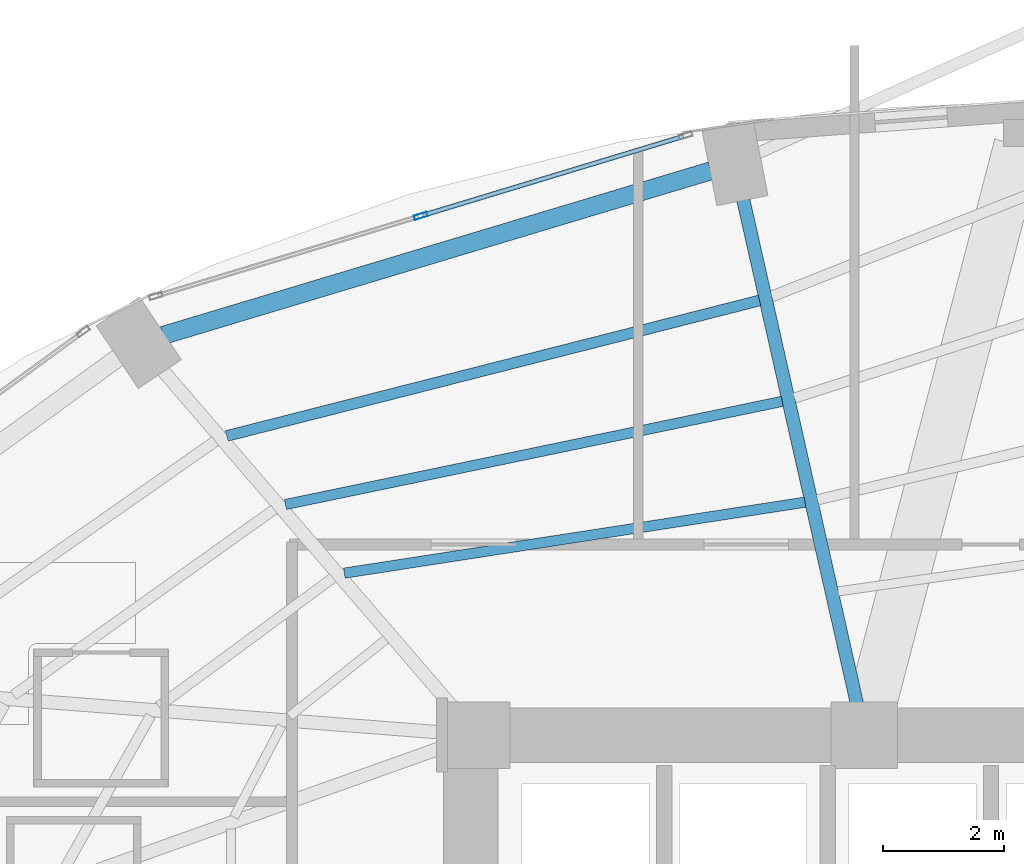
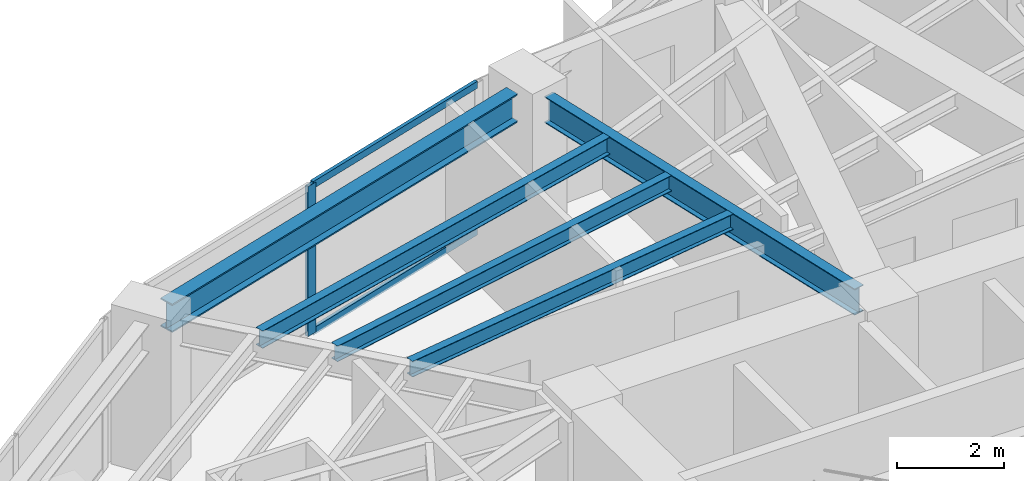
# One storey, part 15 of 25: 5 beams, 3 members, 1 element without a shape of its own.
"""IFC4 building model written with IfcOpenShell, lengths in metres."""

from ifc_helpers import new_model, si_unit, direction, frame, origin, origin_2d, place, context, subcontext, project, spatial, hollow_rectangle, i_section, extrude, material, layer, layer_set, material_profile, profile_set, type_object, element, aggregate, save


model = new_model("IFC4")

# Units and contexts
model_context = context("Model", 3, precision=1e-05, world=origin(), true_north=direction((0.0, 1.0)))
body_context = subcontext(model_context, "Body", "Model", "MODEL_VIEW")
ifc_project = project(units=[si_unit("LENGTHUNIT", "METRE"), si_unit("AREAUNIT", "SQUARE_METRE"), si_unit("VOLUMEUNIT", "CUBIC_METRE"), si_unit("PLANEANGLEUNIT", "RADIAN"), si_unit("MASSUNIT", "GRAM", prefix="KILO")], contexts=[model_context])

# Site, building, storey
site_placement = place(None, origin())
site = spatial("IfcSite", under=ifc_project, at=site_placement, CompositionType="ELEMENT")
building_placement = place(site_placement, origin())
building = spatial("IfcBuilding", under=site, at=building_placement, Name="Lazwardi Medical Tower", CompositionType="ELEMENT")
storey_placement = place(building_placement, frame((0.0, 0.0, 50.736083984375)))
storey = spatial("IfcBuildingStorey", under=building, at=storey_placement, Name="L12", CompositionType="ELEMENT", Elevation=50.736083984375)

# Beams
ifc_material_1 = material(Name="Steel S355", Category="steel")
ifc_material_profile_1 = material_profile(ifc_material_1, i_section(OverallWidth=0.300048828125, OverallDepth=0.64990234375, WebThickness=0.01611328125, FlangeThickness=0.031005859375, at=origin_2d()), Name="HEB 650")
ifc_profile_set_1 = profile_set([ifc_material_profile_1], Name="Steel S355")
beam_type_1 = type_object("IfcBeamType", Name="BM-RB-Z1", PredefinedType="BEAM", material=ifc_profile_set_1)
beam_1_placement = place(storey_placement, frame((30.26708984375, 44.923095703125, 3.10302734375), z_axis=(-0.957695289269, -0.287784177662, 0.0), x_axis=(0.287784177662, -0.957695289269, 0.0)))
element("IfcBeam", 1, at=beam_1_placement, inside=storey, type_object=beam_type_1, Name="Ring beam RB-02 B09 L12", PredefinedType="BEAM", context=body_context, shape_type="SweptSolid", body=[
    extrude(i_section(OverallWidth=0.300048828125, OverallDepth=0.64990234375, WebThickness=0.01611328125, FlangeThickness=0.031005859375, at=origin_2d()), origin(), (0.0, 0.0, 1.0), 9.445556640625),
])
ifc_material_profile_2 = material_profile(ifc_material_1, i_section(OverallWidth=0.219970703125, OverallDepth=0.60009765625, WebThickness=0.011962890625, FlangeThickness=0.01904296875, at=origin_2d()), Name="IPE 600")
ifc_profile_set_2 = profile_set([ifc_material_profile_2], Name="Steel S355")
beam_type_2 = type_object("IfcBeamType", Name="BM-RG-W1", PredefinedType="BEAM", material=ifc_profile_set_2)
beam_2_placement = place(storey_placement, frame((30.796875, 44.478271484375, 3.1279296875), z_axis=(0.22010079219, -0.975477135189, 0.0), x_axis=(0.975477135189, 0.22010079219, 0.0)))
element("IfcBeam", 2, at=beam_2_placement, inside=storey, type_object=beam_type_2, Name="Radial girder RG-02 R09 L12", PredefinedType="BEAM", context=body_context, shape_type="SweptSolid", body=[
    extrude(i_section(OverallWidth=0.219970703125, OverallDepth=0.60009765625, WebThickness=0.011962890625, FlangeThickness=0.01904296875, at=origin_2d()), origin(), (0.0, 0.0, 1.0), 8.56640625),
])
ifc_material_profile_3 = material_profile(ifc_material_1, i_section(OverallWidth=0.179931640625, OverallDepth=0.39990234375, WebThickness=0.008544921875, FlangeThickness=0.013427734375, at=origin_2d()), Name="IPE 400")
ifc_profile_set_3 = profile_set([ifc_material_profile_3], Name="Steel S355")
beam_type_3 = type_object("IfcBeamType", Name="BM-SJ-01", PredefinedType="JOIST", material=ifc_profile_set_3)
beam_3_placement = place(storey_placement, frame((31.072265625, 42.781005859375, 3.22802734375), z_axis=(-0.969151012048, -0.246467677081, 0.0), x_axis=(0.246467677081, -0.969151012048, 0.0)))
element("IfcBeam", 3, at=beam_3_placement, inside=storey, type_object=beam_type_3, Name="Secondary joist SJ-01 R1 B09 L12", PredefinedType="JOIST", context=body_context, shape_type="SweptSolid", body=[
    extrude(i_section(OverallWidth=0.179931640625, OverallDepth=0.39990234375, WebThickness=0.008544921875, FlangeThickness=0.013427734375, at=origin_2d()), origin(), (0.0, 0.0, 1.0), 9.08251953125),
])
ifc_material_profile_4 = material_profile(ifc_material_1, i_section(OverallWidth=0.169921875, OverallDepth=0.360107421875, WebThickness=0.008056640625, FlangeThickness=0.0126953125, at=origin_2d()), Name="IPE 360")
ifc_profile_set_4 = profile_set([ifc_material_profile_4], Name="Steel S355")
beam_type_4 = type_object("IfcBeamType", Name="BM-SJ-02", PredefinedType="JOIST", material=ifc_profile_set_4)
beam_4_placement = place(storey_placement, frame((31.4482421875, 41.114501953125, 3.247802734375), z_axis=(-0.979107693723, -0.203342381445, 0.0), x_axis=(0.203342381445, -0.979107693723, 0.0)))
element("IfcBeam", 4, at=beam_4_placement, inside=storey, type_object=beam_type_4, Name="Secondary joist SJ-02 R2 B09 L12", PredefinedType="JOIST", context=body_context, shape_type="SweptSolid", body=[
    extrude(i_section(OverallWidth=0.169921875, OverallDepth=0.360107421875, WebThickness=0.008056640625, FlangeThickness=0.0126953125, at=origin_2d()), origin(), (0.0, 0.0, 1.0), 8.381591796875),
])
beam_5_placement = place(storey_placement, frame((31.824462890625, 39.448486328125, 3.247802734375), z_axis=(-0.988362899594, -0.152114360618, 0.0), x_axis=(0.152114360618, -0.988362899594, 0.0)))
element("IfcBeam", 5, at=beam_5_placement, inside=storey, type_object=beam_type_4, Name="Secondary joist SJ-02 R3 B09 L12", PredefinedType="JOIST", context=body_context, shape_type="SweptSolid", body=[
    extrude(i_section(OverallWidth=0.169921875, OverallDepth=0.360107421875, WebThickness=0.008056640625, FlangeThickness=0.0126953125, at=origin_2d()), origin(), (0.0, 0.0, 1.0), 7.70068359375),
])

# Curtain wall, members
ifc_material_2 = material(Name="Anodised bronze aluminium and solar control glazing", Category="aluminium")
ifc_layer = layer(ifc_material_2, 0.199951171875)
ifc_layer_set = layer_set([ifc_layer], Name="Anodised bronze aluminium and solar control glazing")
curtain_wall_type = type_object("IfcCurtainWallType", Name="CW-SYS-02", PredefinedType="NOTDEFINED", material=ifc_layer_set)
curtain_wall_placement = place(storey_placement, origin())
curtain_wall = element("IfcCurtainWall", 6, at=curtain_wall_placement, inside=storey, type_object=curtain_wall_type, Name="L12 Unitised bronze curtain wall CW-02", PredefinedType="NOTDEFINED")
ifc_material_3 = material(Name="Anodised bronze aluminium", Category="aluminium")
ifc_material_profile_5 = material_profile(ifc_material_3, hollow_rectangle(XDim=0.074951171875, YDim=0.219970703125, WallThickness=0.00390625, at=origin_2d()), Name="ALU-MULLION 220x75x4")
ifc_profile_set_5 = profile_set([ifc_material_profile_5], Name="Anodised bronze aluminium")
member_type_1 = type_object("IfcMemberType", Name="CW-MUL-01", PredefinedType="MULLION", material=ifc_profile_set_5)
member_1_placement = place(storey_placement, frame((25.476806640625, 44.178466796875, 0.0), z_axis=(0.0, 0.0, 1.0), x_axis=(0.2898956909, -0.957058247129, 0.0)))
member_1 = element("IfcMember", 7, at=member_1_placement, type_object=member_type_1, Name="CW-02 mullion 2", PredefinedType="MULLION", context=body_context, shape_type="SweptSolid", body=[
    extrude(hollow_rectangle(XDim=0.074951171875, YDim=0.219970703125, WallThickness=0.00390625, at=origin_2d()), origin(), (0.0, 0.0, 1.0), 3.427978515625),
])
ifc_material_profile_6 = material_profile(ifc_material_3, hollow_rectangle(XDim=0.074951171875, YDim=0.159912109375, WallThickness=0.00390625, at=origin_2d()), Name="ALU-TRANSOM 160x75x4")
ifc_profile_set_6 = profile_set([ifc_material_profile_6], Name="Anodised bronze aluminium")
member_type_2 = type_object("IfcMemberType", Name="CW-TRN-01", PredefinedType="USERDEFINED", material=ifc_profile_set_6)
member_2_placement = place(storey_placement, frame((29.816162109375, 45.492919921875, 0.037353515625), z_axis=(-0.957047233423, -0.28993204893, 0.0), x_axis=(0.28993204893, -0.957047233423, 0.0)))
member_2 = element("IfcMember", 8, at=member_2_placement, type_object=member_type_2, Name="CW-02 transom 1.1", ObjectType="TRANSOM", PredefinedType="USERDEFINED", context=body_context, shape_type="SweptSolid", body=[
    extrude(hollow_rectangle(XDim=0.074951171875, YDim=0.159912109375, WallThickness=0.00390625, at=origin_2d()), origin(), (0.0, 0.0, 1.0), 4.49658203125),
])
member_3_placement = place(storey_placement, frame((29.816162109375, 45.492919921875, 3.390380859375), z_axis=(-0.957047233423, -0.28993204893, 0.0), x_axis=(0.28993204893, -0.957047233423, 0.0)))
member_3 = element("IfcMember", 9, at=member_3_placement, type_object=member_type_2, Name="CW-02 transom 1.2", ObjectType="TRANSOM", PredefinedType="USERDEFINED", context=body_context, shape_type="SweptSolid", body=[
    extrude(hollow_rectangle(XDim=0.074951171875, YDim=0.159912109375, WallThickness=0.00390625, at=origin_2d()), origin(), (0.0, 0.0, 1.0), 4.49658203125),
])
aggregate(curtain_wall, [member_1, member_2, member_3])

save(model, "model.ifc")
